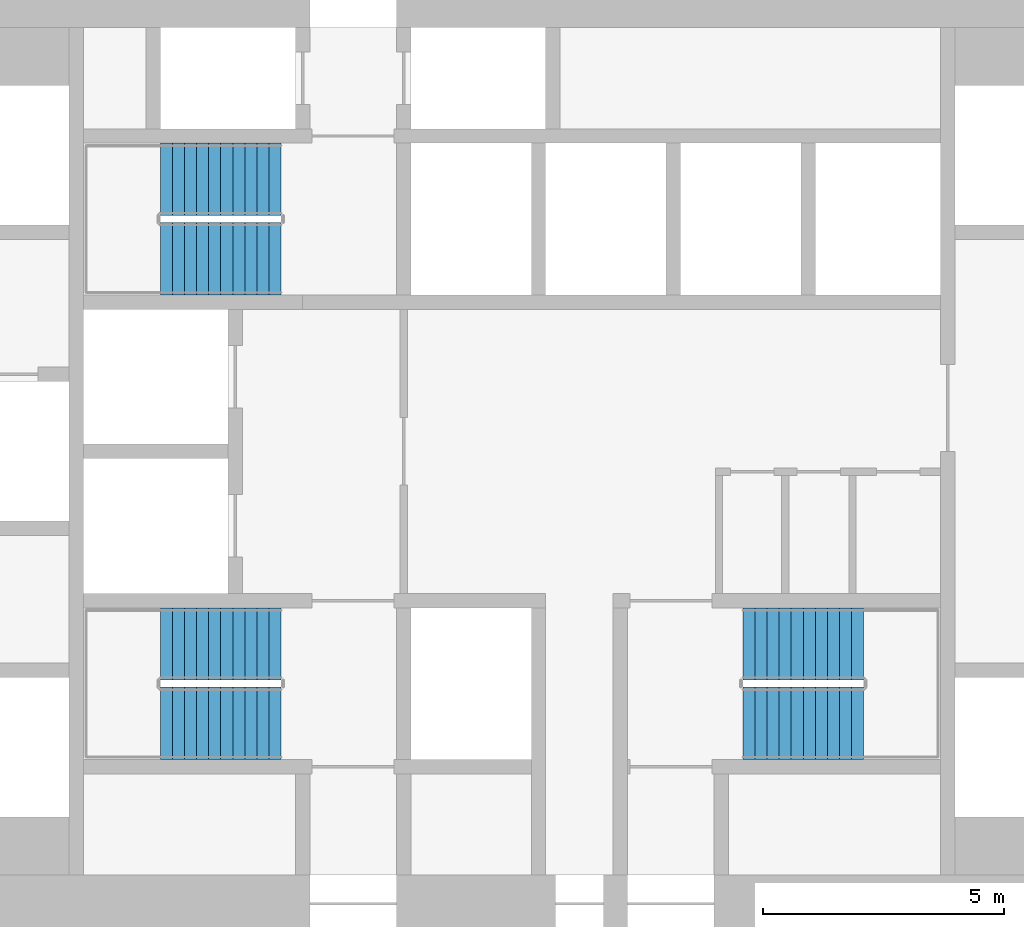
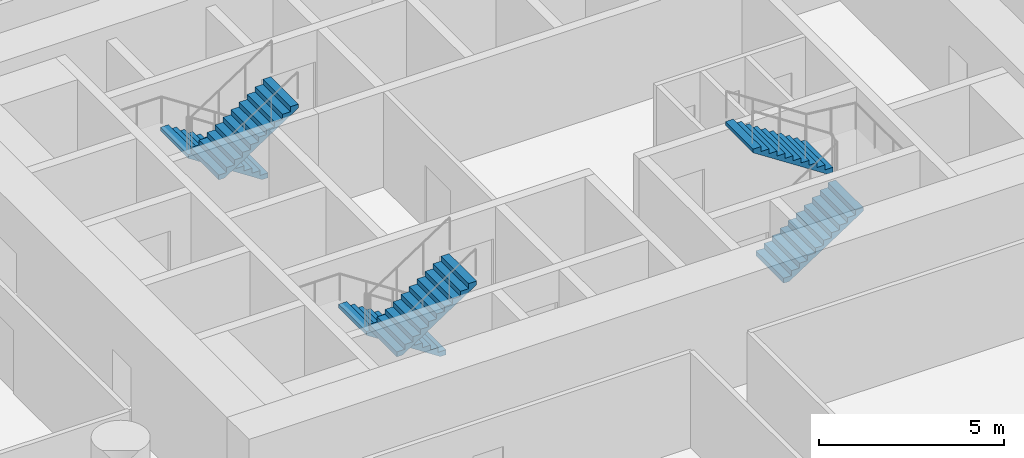
# One storey, part 11 of 12: 6 stair flights, 3 elements without a shape of their own.
"""IFC4 building model written with IfcOpenShell, lengths in metres."""

from ifc_helpers import new_model, si_unit, direction, frame, origin, place, context, subcontext, project, spatial, polyline, outline, extrude, material, type_object, element, aggregate, save


model = new_model("IFC4")

# Units and contexts
model_context = context("Model", 3, precision=1e-05, world=origin(), true_north=direction((0.0, 1.0)))
body_context = subcontext(model_context, "Body", "Model", "MODEL_VIEW")
ifc_project = project(units=[si_unit("LENGTHUNIT", "METRE"), si_unit("AREAUNIT", "SQUARE_METRE"), si_unit("VOLUMEUNIT", "CUBIC_METRE"), si_unit("PLANEANGLEUNIT", "RADIAN"), si_unit("MASSUNIT", "GRAM", prefix="KILO")], contexts=[model_context])

# Site, building, storey
site_placement = place(None, origin())
site = spatial("IfcSite", under=ifc_project, at=site_placement, CompositionType="ELEMENT")
building_placement = place(site_placement, origin())
building = spatial("IfcBuilding", under=site, at=building_placement, Name="Tracery Tower", CompositionType="ELEMENT")
storey_placement = place(building_placement, frame((0.0, 0.0, 46.199951171875)))
storey = spatial("IfcBuildingStorey", under=building, at=storey_placement, Name="L10", CompositionType="ELEMENT", Elevation=46.199951171875)

# Stair, stair flights
ifc_material_1 = material(Name="Concrete C32/40", Category="concrete")
stair_type = type_object("IfcStairType", Name="Core stair 22 risers", PredefinedType="HALF_TURN_STAIR", material=ifc_material_1)
stair_1_placement = place(storey_placement, origin())
stair_1 = element("IfcStair", 1, at=stair_1_placement, inside=storey, type_object=stair_type, Name="L10 stair ST1", PredefinedType="HALF_TURN_STAIR")
ifc_material_2 = material(Name="Concrete C32/40", Category="concrete")
stair_flight_type = type_object("IfcStairFlightType", Name="Core stair flight 11 risers", PredefinedType="STRAIGHT", material=ifc_material_2)
stair_flight_1_placement = place(storey_placement, frame((-4.800048828125, -4.0, 0.0), z_axis=(0.0, 0.0, 1.0), x_axis=(-1.0, 0.0, 0.0)))
stair_flight_1 = element("IfcStairFlight", 2, at=stair_flight_1_placement, type_object=stair_flight_type, Name="ST1 flight 1", NumberOfRisers=11, NumberOfTreads=10, PredefinedType="STRAIGHT", RiserHeight=0.163636364, TreadLength=0.25, context=body_context, shape_type="SweptSolid", body=[
    extrude(outline(polyline([(0.0, 0.0), (0.0, 0.002685546875), (0.0, 0.00537109375), (0.0, 0.008056640625), (0.0, 0.0107421875), (0.0, 0.013427734375), (0.0, 0.01611328125), (0.0, 0.018798828125), (0.0, 0.021484375), (0.0, 0.024169921875), (0.0, 0.02685546875), (0.0, 0.029541015625), (0.0, 0.0322265625), (0.0, 0.034912109375), (0.0, 0.03759765625), (0.0, 0.040283203125), (0.0, 0.04296875), (0.0, 0.045654296875), (0.0, 0.04833984375), (0.0, 0.051025390625), (0.0, 0.0537109375), (0.0, 0.056396484375), (0.0, 0.05908203125), (0.0, 0.061767578125), (0.0, 0.064453125), (0.0, 0.067138671875), (0.0, 0.06982421875), (0.0, 0.072509765625), (0.0, 0.0751953125), (0.0, 0.077880859375), (0.0, 0.08056640625), (0.0, 0.083251953125), (0.0, 0.0859375), (0.0, 0.088623046875), (0.0, 0.09130859375), (0.0, 0.093994140625), (0.0, 0.0966796875), (0.0, 0.099365234375), (0.0, 0.10205078125), (0.0, 0.104736328125), (0.0, 0.107421875), (0.0, 0.10986328125), (0.0, 0.112548828125), (0.0, 0.115234375), (0.0, 0.117919921875), (0.0, 0.12060546875), (0.0, 0.123291015625), (0.0, 0.1259765625), (0.0, 0.128662109375), (0.0, 0.13134765625), (0.0, 0.134033203125), (0.0, 0.13671875), (0.0, 0.139404296875), (0.0, 0.14208984375), (0.0, 0.144775390625), (0.0, 0.1474609375), (0.0, 0.150146484375), (0.0, 0.15283203125), (0.0, 0.155517578125), (0.0, 0.158203125), (0.0, 0.160888671875), (0.0, 0.16357421875), (0.25, 0.16357421875), (0.25, 0.327392578125), (0.5, 0.327392578125), (0.5, 0.490966796875), (0.75, 0.490966796875), (0.75, 0.654541015625), (1.0, 0.654541015625), (1.0, 0.818115234375), (1.25, 0.818115234375), (1.25, 0.98193359375), (1.5, 0.98193359375), (1.5, 1.1455078125), (1.75, 1.1455078125), (1.75, 1.30908203125), (2.0, 1.30908203125), (2.0, 1.47265625), (2.25, 1.47265625), (2.25, 1.636474609375), (2.5, 1.636474609375), (2.5, 1.634521484375), (2.5, 1.63232421875), (2.5, 1.63037109375), (2.5, 1.62841796875), (2.5, 1.62646484375), (2.5, 1.62451171875), (2.5, 1.62255859375), (2.5, 1.62060546875), (2.5, 1.61865234375), (2.5, 1.61669921875), (2.5, 1.61474609375), (2.5, 1.61279296875), (2.5, 1.61083984375), (2.5, 1.60888671875), (2.5, 1.60693359375), (2.5, 1.60498046875), (2.5, 1.60302734375), (2.5, 1.60107421875), (2.5, 1.59912109375), (2.5, 1.59716796875), (2.5, 1.59521484375), (2.5, 1.59326171875), (2.5, 1.59130859375), (2.5, 1.58935546875), (2.5, 1.58740234375), (2.5, 1.58544921875), (2.5, 1.58349609375), (2.5, 1.58154296875), (2.5, 1.57958984375), (2.5, 1.57763671875), (2.5, 1.57568359375), (2.5, 1.573486328125), (2.5, 1.571533203125), (2.5, 1.569580078125), (2.5, 1.567626953125), (2.5, 1.565673828125), (2.5, 1.563720703125), (2.5, 1.561767578125), (2.5, 1.559814453125), (2.5, 1.557861328125), (2.5, 1.555908203125), (2.5, 1.553955078125), (2.5, 1.552001953125), (2.5, 1.550048828125), (2.5, 1.548095703125), (2.5, 1.546142578125), (2.5, 1.544189453125), (2.5, 1.542236328125), (2.5, 1.540283203125), (2.5, 1.538330078125), (2.5, 1.536376953125), (2.5, 1.534423828125), (2.5, 1.532470703125), (2.5, 1.530517578125), (2.5, 1.528564453125), (2.5, 1.526611328125), (2.5, 1.524658203125), (2.5, 1.522705078125), (2.5, 1.520751953125), (2.5, 1.518798828125), (2.5, 1.516845703125), (0.182861328125, 0.0), (0.0, 0.0)])), frame((0.0, 0.75, 0.0), z_axis=(0.0, -1.0, 0.0), x_axis=(1.0, 0.0, 0.0)), (0.0, 0.0, 1.0), 1.5),
])
stair_flight_2_placement = place(storey_placement, frame((-7.300048828125, -5.64990234375, 1.800048828125), z_axis=(0.0, 0.0, 1.0), x_axis=(1.0, 0.0, 0.0)))
stair_flight_2 = element("IfcStairFlight", 3, at=stair_flight_2_placement, type_object=stair_flight_type, Name="ST1 flight 2", NumberOfRisers=11, NumberOfTreads=10, PredefinedType="STRAIGHT", RiserHeight=0.163636364, TreadLength=0.25, context=body_context, shape_type="SweptSolid", body=[
    extrude(outline(polyline([(0.0, 0.0), (0.0, 0.002685546875), (0.0, 0.00537109375), (0.0, 0.008056640625), (0.0, 0.0107421875), (0.0, 0.013427734375), (0.0, 0.01611328125), (0.0, 0.018798828125), (0.0, 0.021484375), (0.0, 0.024169921875), (0.0, 0.02685546875), (0.0, 0.029541015625), (0.0, 0.0322265625), (0.0, 0.034912109375), (0.0, 0.03759765625), (0.0, 0.040283203125), (0.0, 0.04296875), (0.0, 0.045654296875), (0.0, 0.04833984375), (0.0, 0.051025390625), (0.0, 0.0537109375), (0.0, 0.056396484375), (0.0, 0.05908203125), (0.0, 0.061767578125), (0.0, 0.064453125), (0.0, 0.067138671875), (0.0, 0.06982421875), (0.0, 0.072509765625), (0.0, 0.0751953125), (0.0, 0.077880859375), (0.0, 0.08056640625), (0.0, 0.083251953125), (0.0, 0.0859375), (0.0, 0.088623046875), (0.0, 0.09130859375), (0.0, 0.093994140625), (0.0, 0.0966796875), (0.0, 0.099365234375), (0.0, 0.10205078125), (0.0, 0.104736328125), (0.0, 0.107421875), (0.0, 0.10986328125), (0.0, 0.112548828125), (0.0, 0.115234375), (0.0, 0.117919921875), (0.0, 0.12060546875), (0.0, 0.123291015625), (0.0, 0.1259765625), (0.0, 0.128662109375), (0.0, 0.13134765625), (0.0, 0.134033203125), (0.0, 0.13671875), (0.0, 0.139404296875), (0.0, 0.14208984375), (0.0, 0.144775390625), (0.0, 0.1474609375), (0.0, 0.150146484375), (0.0, 0.15283203125), (0.0, 0.155517578125), (0.0, 0.158203125), (0.0, 0.160888671875), (0.0, 0.16357421875), (0.25, 0.16357421875), (0.25, 0.327392578125), (0.5, 0.327392578125), (0.5, 0.490966796875), (0.75, 0.490966796875), (0.75, 0.654541015625), (1.0, 0.654541015625), (1.0, 0.818115234375), (1.25, 0.818115234375), (1.25, 0.98193359375), (1.5, 0.98193359375), (1.5, 1.1455078125), (1.75, 1.1455078125), (1.75, 1.30908203125), (2.0, 1.30908203125), (2.0, 1.47265625), (2.25, 1.47265625), (2.25, 1.636474609375), (2.5, 1.636474609375), (2.5, 1.634521484375), (2.5, 1.63232421875), (2.5, 1.63037109375), (2.5, 1.62841796875), (2.5, 1.62646484375), (2.5, 1.62451171875), (2.5, 1.62255859375), (2.5, 1.62060546875), (2.5, 1.61865234375), (2.5, 1.61669921875), (2.5, 1.61474609375), (2.5, 1.61279296875), (2.5, 1.61083984375), (2.5, 1.60888671875), (2.5, 1.60693359375), (2.5, 1.60498046875), (2.5, 1.60302734375), (2.5, 1.60107421875), (2.5, 1.59912109375), (2.5, 1.59716796875), (2.5, 1.59521484375), (2.5, 1.59326171875), (2.5, 1.59130859375), (2.5, 1.58935546875), (2.5, 1.58740234375), (2.5, 1.58544921875), (2.5, 1.58349609375), (2.5, 1.58154296875), (2.5, 1.57958984375), (2.5, 1.57763671875), (2.5, 1.57568359375), (2.5, 1.573486328125), (2.5, 1.571533203125), (2.5, 1.569580078125), (2.5, 1.567626953125), (2.5, 1.565673828125), (2.5, 1.563720703125), (2.5, 1.561767578125), (2.5, 1.559814453125), (2.5, 1.557861328125), (2.5, 1.555908203125), (2.5, 1.553955078125), (2.5, 1.552001953125), (2.5, 1.550048828125), (2.5, 1.548095703125), (2.5, 1.546142578125), (2.5, 1.544189453125), (2.5, 1.542236328125), (2.5, 1.540283203125), (2.5, 1.538330078125), (2.5, 1.536376953125), (2.5, 1.534423828125), (2.5, 1.532470703125), (2.5, 1.530517578125), (2.5, 1.528564453125), (2.5, 1.526611328125), (2.5, 1.524658203125), (2.5, 1.522705078125), (2.5, 1.520751953125), (2.5, 1.518798828125), (2.5, 1.516845703125), (0.182861328125, 0.0), (0.0, 0.0)])), frame((0.0, 0.75, 0.0), z_axis=(0.0, -1.0, 0.0), x_axis=(1.0, 0.0, 0.0)), (0.0, 0.0, 1.0), 1.5),
])
aggregate(stair_1, [stair_flight_1, stair_flight_2])

stair_2_placement = place(storey_placement, origin())
stair_2 = element("IfcStair", 4, at=stair_2_placement, inside=storey, type_object=stair_type, Name="L10 stair ST3", PredefinedType="HALF_TURN_STAIR")
stair_flight_3_placement = place(storey_placement, frame((-4.800048828125, 5.64990234375, 0.0), z_axis=(0.0, 0.0, 1.0), x_axis=(-1.0, 0.0, 0.0)))
stair_flight_3 = element("IfcStairFlight", 5, at=stair_flight_3_placement, type_object=stair_flight_type, Name="ST3 flight 1", NumberOfRisers=11, NumberOfTreads=10, PredefinedType="STRAIGHT", RiserHeight=0.163636364, TreadLength=0.25, context=body_context, shape_type="SweptSolid", body=[
    extrude(outline(polyline([(0.0, 0.0), (0.0, 0.002685546875), (0.0, 0.00537109375), (0.0, 0.008056640625), (0.0, 0.0107421875), (0.0, 0.013427734375), (0.0, 0.01611328125), (0.0, 0.018798828125), (0.0, 0.021484375), (0.0, 0.024169921875), (0.0, 0.02685546875), (0.0, 0.029541015625), (0.0, 0.0322265625), (0.0, 0.034912109375), (0.0, 0.03759765625), (0.0, 0.040283203125), (0.0, 0.04296875), (0.0, 0.045654296875), (0.0, 0.04833984375), (0.0, 0.051025390625), (0.0, 0.0537109375), (0.0, 0.056396484375), (0.0, 0.05908203125), (0.0, 0.061767578125), (0.0, 0.064453125), (0.0, 0.067138671875), (0.0, 0.06982421875), (0.0, 0.072509765625), (0.0, 0.0751953125), (0.0, 0.077880859375), (0.0, 0.08056640625), (0.0, 0.083251953125), (0.0, 0.0859375), (0.0, 0.088623046875), (0.0, 0.09130859375), (0.0, 0.093994140625), (0.0, 0.0966796875), (0.0, 0.099365234375), (0.0, 0.10205078125), (0.0, 0.104736328125), (0.0, 0.107421875), (0.0, 0.10986328125), (0.0, 0.112548828125), (0.0, 0.115234375), (0.0, 0.117919921875), (0.0, 0.12060546875), (0.0, 0.123291015625), (0.0, 0.1259765625), (0.0, 0.128662109375), (0.0, 0.13134765625), (0.0, 0.134033203125), (0.0, 0.13671875), (0.0, 0.139404296875), (0.0, 0.14208984375), (0.0, 0.144775390625), (0.0, 0.1474609375), (0.0, 0.150146484375), (0.0, 0.15283203125), (0.0, 0.155517578125), (0.0, 0.158203125), (0.0, 0.160888671875), (0.0, 0.16357421875), (0.25, 0.16357421875), (0.25, 0.327392578125), (0.5, 0.327392578125), (0.5, 0.490966796875), (0.75, 0.490966796875), (0.75, 0.654541015625), (1.0, 0.654541015625), (1.0, 0.818115234375), (1.25, 0.818115234375), (1.25, 0.98193359375), (1.5, 0.98193359375), (1.5, 1.1455078125), (1.75, 1.1455078125), (1.75, 1.30908203125), (2.0, 1.30908203125), (2.0, 1.47265625), (2.25, 1.47265625), (2.25, 1.636474609375), (2.5, 1.636474609375), (2.5, 1.634521484375), (2.5, 1.63232421875), (2.5, 1.63037109375), (2.5, 1.62841796875), (2.5, 1.62646484375), (2.5, 1.62451171875), (2.5, 1.62255859375), (2.5, 1.62060546875), (2.5, 1.61865234375), (2.5, 1.61669921875), (2.5, 1.61474609375), (2.5, 1.61279296875), (2.5, 1.61083984375), (2.5, 1.60888671875), (2.5, 1.60693359375), (2.5, 1.60498046875), (2.5, 1.60302734375), (2.5, 1.60107421875), (2.5, 1.59912109375), (2.5, 1.59716796875), (2.5, 1.59521484375), (2.5, 1.59326171875), (2.5, 1.59130859375), (2.5, 1.58935546875), (2.5, 1.58740234375), (2.5, 1.58544921875), (2.5, 1.58349609375), (2.5, 1.58154296875), (2.5, 1.57958984375), (2.5, 1.57763671875), (2.5, 1.57568359375), (2.5, 1.573486328125), (2.5, 1.571533203125), (2.5, 1.569580078125), (2.5, 1.567626953125), (2.5, 1.565673828125), (2.5, 1.563720703125), (2.5, 1.561767578125), (2.5, 1.559814453125), (2.5, 1.557861328125), (2.5, 1.555908203125), (2.5, 1.553955078125), (2.5, 1.552001953125), (2.5, 1.550048828125), (2.5, 1.548095703125), (2.5, 1.546142578125), (2.5, 1.544189453125), (2.5, 1.542236328125), (2.5, 1.540283203125), (2.5, 1.538330078125), (2.5, 1.536376953125), (2.5, 1.534423828125), (2.5, 1.532470703125), (2.5, 1.530517578125), (2.5, 1.528564453125), (2.5, 1.526611328125), (2.5, 1.524658203125), (2.5, 1.522705078125), (2.5, 1.520751953125), (2.5, 1.518798828125), (2.5, 1.516845703125), (0.182861328125, 0.0), (0.0, 0.0)])), frame((0.0, 0.75, 0.0), z_axis=(0.0, -1.0, 0.0), x_axis=(1.0, 0.0, 0.0)), (0.0, 0.0, 1.0), 1.5),
])
stair_flight_4_placement = place(storey_placement, frame((-7.300048828125, 4.0, 1.800048828125), z_axis=(0.0, 0.0, 1.0), x_axis=(1.0, 0.0, 0.0)))
stair_flight_4 = element("IfcStairFlight", 6, at=stair_flight_4_placement, type_object=stair_flight_type, Name="ST3 flight 2", NumberOfRisers=11, NumberOfTreads=10, PredefinedType="STRAIGHT", RiserHeight=0.163636364, TreadLength=0.25, context=body_context, shape_type="SweptSolid", body=[
    extrude(outline(polyline([(0.0, 0.0), (0.0, 0.002685546875), (0.0, 0.00537109375), (0.0, 0.008056640625), (0.0, 0.0107421875), (0.0, 0.013427734375), (0.0, 0.01611328125), (0.0, 0.018798828125), (0.0, 0.021484375), (0.0, 0.024169921875), (0.0, 0.02685546875), (0.0, 0.029541015625), (0.0, 0.0322265625), (0.0, 0.034912109375), (0.0, 0.03759765625), (0.0, 0.040283203125), (0.0, 0.04296875), (0.0, 0.045654296875), (0.0, 0.04833984375), (0.0, 0.051025390625), (0.0, 0.0537109375), (0.0, 0.056396484375), (0.0, 0.05908203125), (0.0, 0.061767578125), (0.0, 0.064453125), (0.0, 0.067138671875), (0.0, 0.06982421875), (0.0, 0.072509765625), (0.0, 0.0751953125), (0.0, 0.077880859375), (0.0, 0.08056640625), (0.0, 0.083251953125), (0.0, 0.0859375), (0.0, 0.088623046875), (0.0, 0.09130859375), (0.0, 0.093994140625), (0.0, 0.0966796875), (0.0, 0.099365234375), (0.0, 0.10205078125), (0.0, 0.104736328125), (0.0, 0.107421875), (0.0, 0.10986328125), (0.0, 0.112548828125), (0.0, 0.115234375), (0.0, 0.117919921875), (0.0, 0.12060546875), (0.0, 0.123291015625), (0.0, 0.1259765625), (0.0, 0.128662109375), (0.0, 0.13134765625), (0.0, 0.134033203125), (0.0, 0.13671875), (0.0, 0.139404296875), (0.0, 0.14208984375), (0.0, 0.144775390625), (0.0, 0.1474609375), (0.0, 0.150146484375), (0.0, 0.15283203125), (0.0, 0.155517578125), (0.0, 0.158203125), (0.0, 0.160888671875), (0.0, 0.16357421875), (0.25, 0.16357421875), (0.25, 0.327392578125), (0.5, 0.327392578125), (0.5, 0.490966796875), (0.75, 0.490966796875), (0.75, 0.654541015625), (1.0, 0.654541015625), (1.0, 0.818115234375), (1.25, 0.818115234375), (1.25, 0.98193359375), (1.5, 0.98193359375), (1.5, 1.1455078125), (1.75, 1.1455078125), (1.75, 1.30908203125), (2.0, 1.30908203125), (2.0, 1.47265625), (2.25, 1.47265625), (2.25, 1.636474609375), (2.5, 1.636474609375), (2.5, 1.634521484375), (2.5, 1.63232421875), (2.5, 1.63037109375), (2.5, 1.62841796875), (2.5, 1.62646484375), (2.5, 1.62451171875), (2.5, 1.62255859375), (2.5, 1.62060546875), (2.5, 1.61865234375), (2.5, 1.61669921875), (2.5, 1.61474609375), (2.5, 1.61279296875), (2.5, 1.61083984375), (2.5, 1.60888671875), (2.5, 1.60693359375), (2.5, 1.60498046875), (2.5, 1.60302734375), (2.5, 1.60107421875), (2.5, 1.59912109375), (2.5, 1.59716796875), (2.5, 1.59521484375), (2.5, 1.59326171875), (2.5, 1.59130859375), (2.5, 1.58935546875), (2.5, 1.58740234375), (2.5, 1.58544921875), (2.5, 1.58349609375), (2.5, 1.58154296875), (2.5, 1.57958984375), (2.5, 1.57763671875), (2.5, 1.57568359375), (2.5, 1.573486328125), (2.5, 1.571533203125), (2.5, 1.569580078125), (2.5, 1.567626953125), (2.5, 1.565673828125), (2.5, 1.563720703125), (2.5, 1.561767578125), (2.5, 1.559814453125), (2.5, 1.557861328125), (2.5, 1.555908203125), (2.5, 1.553955078125), (2.5, 1.552001953125), (2.5, 1.550048828125), (2.5, 1.548095703125), (2.5, 1.546142578125), (2.5, 1.544189453125), (2.5, 1.542236328125), (2.5, 1.540283203125), (2.5, 1.538330078125), (2.5, 1.536376953125), (2.5, 1.534423828125), (2.5, 1.532470703125), (2.5, 1.530517578125), (2.5, 1.528564453125), (2.5, 1.526611328125), (2.5, 1.524658203125), (2.5, 1.522705078125), (2.5, 1.520751953125), (2.5, 1.518798828125), (2.5, 1.516845703125), (0.182861328125, 0.0), (0.0, 0.0)])), frame((0.0, 0.75, 0.0), z_axis=(0.0, -1.0, 0.0), x_axis=(1.0, 0.0, 0.0)), (0.0, 0.0, 1.0), 1.5),
])
aggregate(stair_2, [stair_flight_3, stair_flight_4])

stair_3_placement = place(storey_placement, origin())
stair_3 = element("IfcStair", 7, at=stair_3_placement, inside=storey, type_object=stair_type, Name="L10 stair ST2", PredefinedType="HALF_TURN_STAIR")
stair_flight_5_placement = place(storey_placement, frame((4.800048828125, -5.64990234375, 0.0), z_axis=(0.0, 0.0, 1.0), x_axis=(1.0, 0.0, 0.0)))
stair_flight_5 = element("IfcStairFlight", 8, at=stair_flight_5_placement, type_object=stair_flight_type, Name="ST2 flight 1", NumberOfRisers=11, NumberOfTreads=10, PredefinedType="STRAIGHT", RiserHeight=0.163636364, TreadLength=0.25, context=body_context, shape_type="SweptSolid", body=[
    extrude(outline(polyline([(0.0, 0.0), (0.0, 0.002685546875), (0.0, 0.00537109375), (0.0, 0.008056640625), (0.0, 0.0107421875), (0.0, 0.013427734375), (0.0, 0.01611328125), (0.0, 0.018798828125), (0.0, 0.021484375), (0.0, 0.024169921875), (0.0, 0.02685546875), (0.0, 0.029541015625), (0.0, 0.0322265625), (0.0, 0.034912109375), (0.0, 0.03759765625), (0.0, 0.040283203125), (0.0, 0.04296875), (0.0, 0.045654296875), (0.0, 0.04833984375), (0.0, 0.051025390625), (0.0, 0.0537109375), (0.0, 0.056396484375), (0.0, 0.05908203125), (0.0, 0.061767578125), (0.0, 0.064453125), (0.0, 0.067138671875), (0.0, 0.06982421875), (0.0, 0.072509765625), (0.0, 0.0751953125), (0.0, 0.077880859375), (0.0, 0.08056640625), (0.0, 0.083251953125), (0.0, 0.0859375), (0.0, 0.088623046875), (0.0, 0.09130859375), (0.0, 0.093994140625), (0.0, 0.0966796875), (0.0, 0.099365234375), (0.0, 0.10205078125), (0.0, 0.104736328125), (0.0, 0.107421875), (0.0, 0.10986328125), (0.0, 0.112548828125), (0.0, 0.115234375), (0.0, 0.117919921875), (0.0, 0.12060546875), (0.0, 0.123291015625), (0.0, 0.1259765625), (0.0, 0.128662109375), (0.0, 0.13134765625), (0.0, 0.134033203125), (0.0, 0.13671875), (0.0, 0.139404296875), (0.0, 0.14208984375), (0.0, 0.144775390625), (0.0, 0.1474609375), (0.0, 0.150146484375), (0.0, 0.15283203125), (0.0, 0.155517578125), (0.0, 0.158203125), (0.0, 0.160888671875), (0.0, 0.16357421875), (0.25, 0.16357421875), (0.25, 0.327392578125), (0.5, 0.327392578125), (0.5, 0.490966796875), (0.75, 0.490966796875), (0.75, 0.654541015625), (1.0, 0.654541015625), (1.0, 0.818115234375), (1.25, 0.818115234375), (1.25, 0.98193359375), (1.5, 0.98193359375), (1.5, 1.1455078125), (1.75, 1.1455078125), (1.75, 1.30908203125), (2.0, 1.30908203125), (2.0, 1.47265625), (2.25, 1.47265625), (2.25, 1.636474609375), (2.5, 1.636474609375), (2.5, 1.634521484375), (2.5, 1.63232421875), (2.5, 1.63037109375), (2.5, 1.62841796875), (2.5, 1.62646484375), (2.5, 1.62451171875), (2.5, 1.62255859375), (2.5, 1.62060546875), (2.5, 1.61865234375), (2.5, 1.61669921875), (2.5, 1.61474609375), (2.5, 1.61279296875), (2.5, 1.61083984375), (2.5, 1.60888671875), (2.5, 1.60693359375), (2.5, 1.60498046875), (2.5, 1.60302734375), (2.5, 1.60107421875), (2.5, 1.59912109375), (2.5, 1.59716796875), (2.5, 1.59521484375), (2.5, 1.59326171875), (2.5, 1.59130859375), (2.5, 1.58935546875), (2.5, 1.58740234375), (2.5, 1.58544921875), (2.5, 1.58349609375), (2.5, 1.58154296875), (2.5, 1.57958984375), (2.5, 1.57763671875), (2.5, 1.57568359375), (2.5, 1.573486328125), (2.5, 1.571533203125), (2.5, 1.569580078125), (2.5, 1.567626953125), (2.5, 1.565673828125), (2.5, 1.563720703125), (2.5, 1.561767578125), (2.5, 1.559814453125), (2.5, 1.557861328125), (2.5, 1.555908203125), (2.5, 1.553955078125), (2.5, 1.552001953125), (2.5, 1.550048828125), (2.5, 1.548095703125), (2.5, 1.546142578125), (2.5, 1.544189453125), (2.5, 1.542236328125), (2.5, 1.540283203125), (2.5, 1.538330078125), (2.5, 1.536376953125), (2.5, 1.534423828125), (2.5, 1.532470703125), (2.5, 1.530517578125), (2.5, 1.528564453125), (2.5, 1.526611328125), (2.5, 1.524658203125), (2.5, 1.522705078125), (2.5, 1.520751953125), (2.5, 1.518798828125), (2.5, 1.516845703125), (0.182861328125, 0.0), (0.0, 0.0)])), frame((0.0, 0.75, 0.0), z_axis=(0.0, -1.0, 0.0), x_axis=(1.0, 0.0, 0.0)), (0.0, 0.0, 1.0), 1.5),
])
stair_flight_6_placement = place(storey_placement, frame((7.300048828125, -4.0, 1.800048828125), z_axis=(0.0, 0.0, 1.0), x_axis=(-1.0, 0.0, 0.0)))
stair_flight_6 = element("IfcStairFlight", 9, at=stair_flight_6_placement, type_object=stair_flight_type, Name="ST2 flight 2", NumberOfRisers=11, NumberOfTreads=10, PredefinedType="STRAIGHT", RiserHeight=0.163636364, TreadLength=0.25, context=body_context, shape_type="SweptSolid", body=[
    extrude(outline(polyline([(0.0, 0.0), (0.0, 0.002685546875), (0.0, 0.00537109375), (0.0, 0.008056640625), (0.0, 0.0107421875), (0.0, 0.013427734375), (0.0, 0.01611328125), (0.0, 0.018798828125), (0.0, 0.021484375), (0.0, 0.024169921875), (0.0, 0.02685546875), (0.0, 0.029541015625), (0.0, 0.0322265625), (0.0, 0.034912109375), (0.0, 0.03759765625), (0.0, 0.040283203125), (0.0, 0.04296875), (0.0, 0.045654296875), (0.0, 0.04833984375), (0.0, 0.051025390625), (0.0, 0.0537109375), (0.0, 0.056396484375), (0.0, 0.05908203125), (0.0, 0.061767578125), (0.0, 0.064453125), (0.0, 0.067138671875), (0.0, 0.06982421875), (0.0, 0.072509765625), (0.0, 0.0751953125), (0.0, 0.077880859375), (0.0, 0.08056640625), (0.0, 0.083251953125), (0.0, 0.0859375), (0.0, 0.088623046875), (0.0, 0.09130859375), (0.0, 0.093994140625), (0.0, 0.0966796875), (0.0, 0.099365234375), (0.0, 0.10205078125), (0.0, 0.104736328125), (0.0, 0.107421875), (0.0, 0.10986328125), (0.0, 0.112548828125), (0.0, 0.115234375), (0.0, 0.117919921875), (0.0, 0.12060546875), (0.0, 0.123291015625), (0.0, 0.1259765625), (0.0, 0.128662109375), (0.0, 0.13134765625), (0.0, 0.134033203125), (0.0, 0.13671875), (0.0, 0.139404296875), (0.0, 0.14208984375), (0.0, 0.144775390625), (0.0, 0.1474609375), (0.0, 0.150146484375), (0.0, 0.15283203125), (0.0, 0.155517578125), (0.0, 0.158203125), (0.0, 0.160888671875), (0.0, 0.16357421875), (0.25, 0.16357421875), (0.25, 0.327392578125), (0.5, 0.327392578125), (0.5, 0.490966796875), (0.75, 0.490966796875), (0.75, 0.654541015625), (1.0, 0.654541015625), (1.0, 0.818115234375), (1.25, 0.818115234375), (1.25, 0.98193359375), (1.5, 0.98193359375), (1.5, 1.1455078125), (1.75, 1.1455078125), (1.75, 1.30908203125), (2.0, 1.30908203125), (2.0, 1.47265625), (2.25, 1.47265625), (2.25, 1.636474609375), (2.5, 1.636474609375), (2.5, 1.634521484375), (2.5, 1.63232421875), (2.5, 1.63037109375), (2.5, 1.62841796875), (2.5, 1.62646484375), (2.5, 1.62451171875), (2.5, 1.62255859375), (2.5, 1.62060546875), (2.5, 1.61865234375), (2.5, 1.61669921875), (2.5, 1.61474609375), (2.5, 1.61279296875), (2.5, 1.61083984375), (2.5, 1.60888671875), (2.5, 1.60693359375), (2.5, 1.60498046875), (2.5, 1.60302734375), (2.5, 1.60107421875), (2.5, 1.59912109375), (2.5, 1.59716796875), (2.5, 1.59521484375), (2.5, 1.59326171875), (2.5, 1.59130859375), (2.5, 1.58935546875), (2.5, 1.58740234375), (2.5, 1.58544921875), (2.5, 1.58349609375), (2.5, 1.58154296875), (2.5, 1.57958984375), (2.5, 1.57763671875), (2.5, 1.57568359375), (2.5, 1.573486328125), (2.5, 1.571533203125), (2.5, 1.569580078125), (2.5, 1.567626953125), (2.5, 1.565673828125), (2.5, 1.563720703125), (2.5, 1.561767578125), (2.5, 1.559814453125), (2.5, 1.557861328125), (2.5, 1.555908203125), (2.5, 1.553955078125), (2.5, 1.552001953125), (2.5, 1.550048828125), (2.5, 1.548095703125), (2.5, 1.546142578125), (2.5, 1.544189453125), (2.5, 1.542236328125), (2.5, 1.540283203125), (2.5, 1.538330078125), (2.5, 1.536376953125), (2.5, 1.534423828125), (2.5, 1.532470703125), (2.5, 1.530517578125), (2.5, 1.528564453125), (2.5, 1.526611328125), (2.5, 1.524658203125), (2.5, 1.522705078125), (2.5, 1.520751953125), (2.5, 1.518798828125), (2.5, 1.516845703125), (0.182861328125, 0.0), (0.0, 0.0)])), frame((0.0, 0.75, 0.0), z_axis=(0.0, -1.0, 0.0), x_axis=(1.0, 0.0, 0.0)), (0.0, 0.0, 1.0), 1.5),
])
aggregate(stair_3, [stair_flight_5, stair_flight_6])

save(model, "model.ifc")
